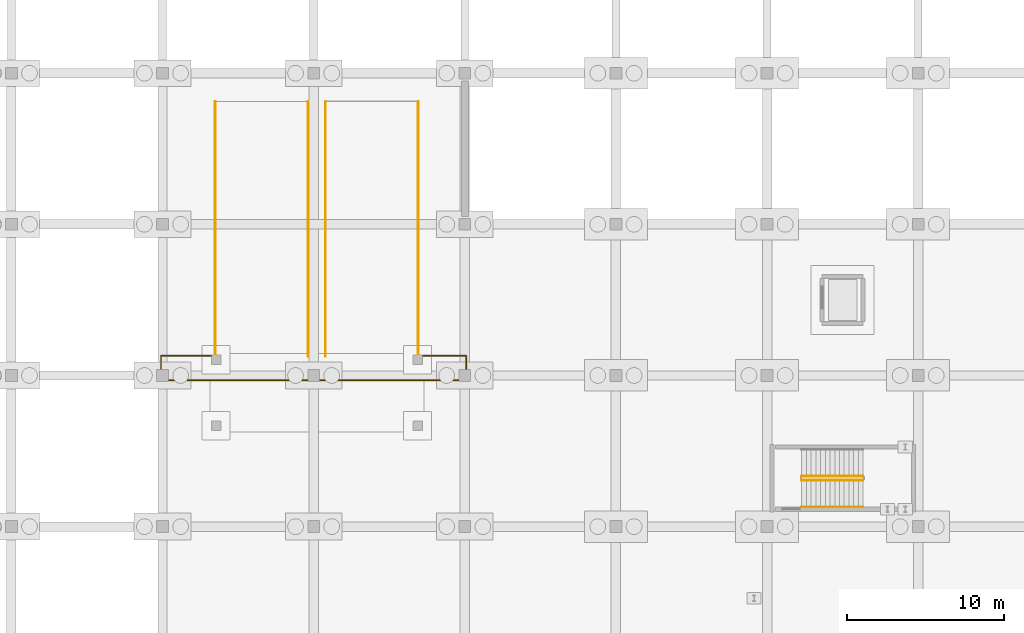
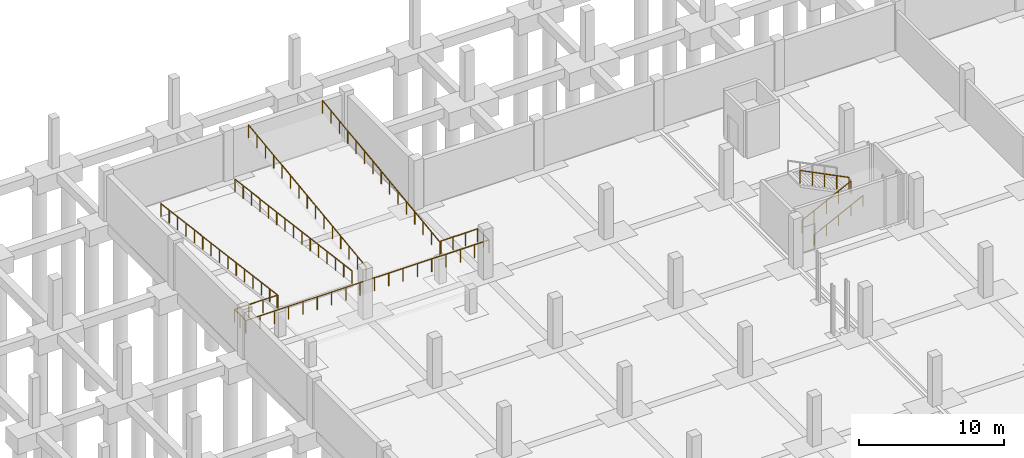
# One storey, part 50 of 54: 8 railings.
"""IFC4 building model written with IfcOpenShell, lengths in metres."""

from ifc_helpers import new_model, si_unit, direction, frame, origin, origin_2d, place, context, subcontext, project, spatial, circle, extrude, material, type_object, element, save


model = new_model("IFC4")

# Units and contexts
model_context = context("Model", 3, precision=1e-05, world=origin(), true_north=direction((0.0, 1.0)))
body_context = subcontext(model_context, "Body", "Model", "MODEL_VIEW")
ifc_project = project(units=[si_unit("LENGTHUNIT", "METRE"), si_unit("AREAUNIT", "SQUARE_METRE"), si_unit("VOLUMEUNIT", "CUBIC_METRE"), si_unit("PLANEANGLEUNIT", "RADIAN"), si_unit("MASSUNIT", "GRAM", prefix="KILO")], contexts=[model_context])

# Site, building, storey
site_placement = place(None, origin())
site = spatial("IfcSite", under=ifc_project, at=site_placement, CompositionType="ELEMENT")
building_placement = place(site_placement, origin())
building = spatial("IfcBuilding", under=site, at=building_placement, Name="Zevrakil Square Congress Hotel", CompositionType="ELEMENT")
storey_placement = place(building_placement, frame((0.0, 0.0, -8.39990234375)))
storey = spatial("IfcBuildingStorey", under=building, at=storey_placement, Name="B2", CompositionType="ELEMENT", Elevation=-8.39990234375)

# Railings
ifc_material_1 = material(Name="Steel S355", Category="steel")
railing_type_1 = type_object("IfcRailingType", Name="RLG-STAIR-GUARD-1100", PredefinedType="BALUSTRADE", material=ifc_material_1)
railing_1_placement = place(storey_placement, frame((57.39990234375, 86.949951171875, 0.14990234375)))
element("IfcRailing", 1, at=railing_1_placement, inside=storey, type_object=railing_type_1, Name="B2 ST05 stair guard 1", PredefinedType="BALUSTRADE", context=body_context, shape_type="SweptSolid", body=[
    extrude(circle(Radius=0.02392578125, at=origin_2d()), frame((0.0, 0.0, 1.076171875), z_axis=(0.894438388696, 0.0, 0.447191199406), x_axis=(0.0, 1.0, 0.0)), (0.0, 0.0, 1.0), 4.3603515625),
    extrude(circle(Radius=0.02099609375, at=origin_2d()), origin(), (0.0, 0.0, 1.0), 1.052001953125),
    extrude(circle(Radius=0.02099609375, at=origin_2d()), frame((0.97509765625, 0.0, 0.487548828125)), (0.0, 0.0, 1.0), 1.052001953125),
    extrude(circle(Radius=0.02099609375, at=origin_2d()), frame((1.9501953125, 0.0, 0.97509765625)), (0.0, 0.0, 1.0), 1.052001953125),
    extrude(circle(Radius=0.02099609375, at=origin_2d()), frame((2.925048828125, 0.0, 1.46240234375)), (0.0, 0.0, 1.0), 1.052001953125),
    extrude(circle(Radius=0.02099609375, at=origin_2d()), frame((3.900146484375, 0.0, 1.949951171875)), (0.0, 0.0, 1.0), 1.052001953125),
])
railing_2_placement = place(storey_placement, frame((61.300048828125, 87.199951171875, 2.25)))
element("IfcRailing", 2, at=railing_2_placement, inside=storey, type_object=railing_type_1, Name="B2 ST05 stair guard 3", PredefinedType="BALUSTRADE", context=body_context, shape_type="SweptSolid", body=[
    extrude(circle(Radius=0.02392578125, at=origin_2d()), frame((0.0, 0.0, 1.076171875), z_axis=(-0.894438388696, 0.0, 0.447191199406), x_axis=(0.0, -1.0, 0.0)), (0.0, 0.0, 1.0), 4.3603515625),
    extrude(circle(Radius=0.02099609375, at=origin_2d()), origin(), (0.0, 0.0, 1.0), 1.052001953125),
    extrude(circle(Radius=0.02099609375, at=origin_2d()), frame((-0.97509765625, 0.0, 0.487548828125)), (0.0, 0.0, 1.0), 1.052001953125),
    extrude(circle(Radius=0.02099609375, at=origin_2d()), frame((-1.9501953125, 0.0, 0.97509765625)), (0.0, 0.0, 1.0), 1.052001953125),
    extrude(circle(Radius=0.02099609375, at=origin_2d()), frame((-2.925048828125, 0.0, 1.46240234375)), (0.0, 0.0, 1.0), 1.052001953125),
    extrude(circle(Radius=0.02099609375, at=origin_2d()), frame((-3.900146484375, 0.0, 1.949951171875)), (0.0, 0.0, 1.0), 1.052001953125),
])
ifc_material_2 = material(Name="Steel S355", Category="steel")
railing_type_2 = type_object("IfcRailingType", Name="RLG-STAIR-HAND-900", PredefinedType="HANDRAIL", material=ifc_material_2)
railing_3_placement = place(storey_placement, frame((57.39990234375, 85.25, 0.14990234375)))
element("IfcRailing", 3, at=railing_3_placement, inside=storey, type_object=railing_type_2, Name="B2 ST05 stair handrail 1", PredefinedType="HANDRAIL", context=body_context, shape_type="SweptSolid", body=[
    extrude(circle(Radius=0.02392578125, at=origin_2d()), frame((0.0, 0.0, 0.8759765625), z_axis=(0.894438388696, 0.0, 0.447191199406), x_axis=(0.0, 1.0, 0.0)), (0.0, 0.0, 1.0), 4.3603515625),
    extrude(circle(Radius=0.02099609375, at=origin_2d()), origin(), (0.0, 0.0, 1.0), 0.851806640625),
    extrude(circle(Radius=0.02099609375, at=origin_2d()), frame((0.97509765625, 0.0, 0.487548828125)), (0.0, 0.0, 1.0), 0.851806640625),
    extrude(circle(Radius=0.02099609375, at=origin_2d()), frame((1.9501953125, 0.0, 0.97509765625)), (0.0, 0.0, 1.0), 0.851806640625),
    extrude(circle(Radius=0.02099609375, at=origin_2d()), frame((2.925048828125, 0.0, 1.46240234375)), (0.0, 0.0, 1.0), 0.851806640625),
    extrude(circle(Radius=0.02099609375, at=origin_2d()), frame((3.900146484375, 0.0, 1.949951171875)), (0.0, 0.0, 1.0), 0.851806640625),
])
ifc_material_3 = material(Name="Steel S355", Category="steel")
railing_type_3 = type_object("IfcRailingType", Name="RLG-TERR-1100", PredefinedType="BALUSTRADE", material=ifc_material_3)
railing_4_placement = place(storey_placement, frame((20.14990234375, 111.0, 0.0)))
element("IfcRailing", 4, at=railing_4_placement, inside=storey, type_object=railing_type_3, Name="B2 terrace and void safety balustrade guard 27", PredefinedType="BALUSTRADE", context=body_context, shape_type="SweptSolid", body=[
    extrude(circle(Radius=0.02392578125, at=origin_2d()), frame((0.0, 0.0, 1.076171875), z_axis=(0.0, -0.99170360044, 0.128545590647), x_axis=(1.0, 0.0, 0.0)), (0.0, 0.0, 1.0), 16.33544921875),
    extrude(circle(Radius=0.02099609375, at=origin_2d()), origin(), (0.0, 0.0, 1.0), 1.052001953125),
    extrude(circle(Radius=0.02099609375, at=origin_2d()), frame((0.0, -1.1572265625, 0.14990234375)), (0.0, 0.0, 1.0), 1.052001953125),
    extrude(circle(Radius=0.02099609375, at=origin_2d()), frame((0.0, -2.314208984375, 0.300048828125)), (0.0, 0.0, 1.0), 1.052001953125),
    extrude(circle(Radius=0.02099609375, at=origin_2d()), frame((0.0, -3.471435546875, 0.449951171875)), (0.0, 0.0, 1.0), 1.052001953125),
    extrude(circle(Radius=0.02099609375, at=origin_2d()), frame((0.0, -4.628662109375, 0.599853515625)), (0.0, 0.0, 1.0), 1.052001953125),
    extrude(circle(Radius=0.02099609375, at=origin_2d()), frame((0.0, -5.78564453125, 0.75)), (0.0, 0.0, 1.0), 1.052001953125),
    extrude(circle(Radius=0.02099609375, at=origin_2d()), frame((0.0, -6.94287109375, 0.89990234375)), (0.0, 0.0, 1.0), 1.052001953125),
    extrude(circle(Radius=0.02099609375, at=origin_2d()), frame((0.0, -8.10009765625, 1.0498046875)), (0.0, 0.0, 1.0), 1.052001953125),
    extrude(circle(Radius=0.02099609375, at=origin_2d()), frame((0.0, -9.257080078125, 1.199951171875)), (0.0, 0.0, 1.0), 1.052001953125),
    extrude(circle(Radius=0.02099609375, at=origin_2d()), frame((0.0, -10.414306640625, 1.349853515625)), (0.0, 0.0, 1.0), 1.052001953125),
    extrude(circle(Radius=0.02099609375, at=origin_2d()), frame((0.0, -11.5712890625, 1.5)), (0.0, 0.0, 1.0), 1.052001953125),
    extrude(circle(Radius=0.02099609375, at=origin_2d()), frame((0.0, -12.728515625, 1.64990234375)), (0.0, 0.0, 1.0), 1.052001953125),
    extrude(circle(Radius=0.02099609375, at=origin_2d()), frame((0.0, -13.8857421875, 1.7998046875)), (0.0, 0.0, 1.0), 1.052001953125),
    extrude(circle(Radius=0.02099609375, at=origin_2d()), frame((0.0, -15.042724609375, 1.949951171875)), (0.0, 0.0, 1.0), 1.052001953125),
    extrude(circle(Radius=0.02099609375, at=origin_2d()), frame((0.0, -16.199951171875, 2.099853515625)), (0.0, 0.0, 1.0), 1.052001953125),
])
railing_5_placement = place(storey_placement, frame((26.050048828125, 111.0, 0.0)))
element("IfcRailing", 5, at=railing_5_placement, inside=storey, type_object=railing_type_3, Name="B2 terrace and void safety balustrade guard 28", PredefinedType="BALUSTRADE", context=body_context, shape_type="SweptSolid", body=[
    extrude(circle(Radius=0.02392578125, at=origin_2d()), frame((0.0, 0.0, 1.076171875), z_axis=(0.0, -0.99170360044, 0.128545590647), x_axis=(1.0, 0.0, 0.0)), (0.0, 0.0, 1.0), 16.33544921875),
    extrude(circle(Radius=0.02099609375, at=origin_2d()), origin(), (0.0, 0.0, 1.0), 1.052001953125),
    extrude(circle(Radius=0.02099609375, at=origin_2d()), frame((0.0, -1.1572265625, 0.14990234375)), (0.0, 0.0, 1.0), 1.052001953125),
    extrude(circle(Radius=0.02099609375, at=origin_2d()), frame((0.0, -2.314208984375, 0.300048828125)), (0.0, 0.0, 1.0), 1.052001953125),
    extrude(circle(Radius=0.02099609375, at=origin_2d()), frame((0.0, -3.471435546875, 0.449951171875)), (0.0, 0.0, 1.0), 1.052001953125),
    extrude(circle(Radius=0.02099609375, at=origin_2d()), frame((0.0, -4.628662109375, 0.599853515625)), (0.0, 0.0, 1.0), 1.052001953125),
    extrude(circle(Radius=0.02099609375, at=origin_2d()), frame((0.0, -5.78564453125, 0.75)), (0.0, 0.0, 1.0), 1.052001953125),
    extrude(circle(Radius=0.02099609375, at=origin_2d()), frame((0.0, -6.94287109375, 0.89990234375)), (0.0, 0.0, 1.0), 1.052001953125),
    extrude(circle(Radius=0.02099609375, at=origin_2d()), frame((0.0, -8.10009765625, 1.0498046875)), (0.0, 0.0, 1.0), 1.052001953125),
    extrude(circle(Radius=0.02099609375, at=origin_2d()), frame((0.0, -9.257080078125, 1.199951171875)), (0.0, 0.0, 1.0), 1.052001953125),
    extrude(circle(Radius=0.02099609375, at=origin_2d()), frame((0.0, -10.414306640625, 1.349853515625)), (0.0, 0.0, 1.0), 1.052001953125),
    extrude(circle(Radius=0.02099609375, at=origin_2d()), frame((0.0, -11.5712890625, 1.5)), (0.0, 0.0, 1.0), 1.052001953125),
    extrude(circle(Radius=0.02099609375, at=origin_2d()), frame((0.0, -12.728515625, 1.64990234375)), (0.0, 0.0, 1.0), 1.052001953125),
    extrude(circle(Radius=0.02099609375, at=origin_2d()), frame((0.0, -13.8857421875, 1.7998046875)), (0.0, 0.0, 1.0), 1.052001953125),
    extrude(circle(Radius=0.02099609375, at=origin_2d()), frame((0.0, -15.042724609375, 1.949951171875)), (0.0, 0.0, 1.0), 1.052001953125),
    extrude(circle(Radius=0.02099609375, at=origin_2d()), frame((0.0, -16.199951171875, 2.099853515625)), (0.0, 0.0, 1.0), 1.052001953125),
])
railing_6_placement = place(storey_placement, frame((27.14990234375, 94.800048828125, 2.099853515625)))
element("IfcRailing", 6, at=railing_6_placement, inside=storey, type_object=railing_type_3, Name="B2 terrace and void safety balustrade guard 29", PredefinedType="BALUSTRADE", context=body_context, shape_type="SweptSolid", body=[
    extrude(circle(Radius=0.02392578125, at=origin_2d()), frame((0.0, 0.0, 1.076171875), z_axis=(0.0, 0.991701695105, 0.128560289071), x_axis=(-1.0, 0.0, 0.0)), (0.0, 0.0, 1.0), 16.33544921875),
    extrude(circle(Radius=0.02099609375, at=origin_2d()), origin(), (0.0, 0.0, 1.0), 1.052001953125),
    extrude(circle(Radius=0.02099609375, at=origin_2d()), frame((0.0, 1.1572265625, 0.14990234375)), (0.0, 0.0, 1.0), 1.052001953125),
    extrude(circle(Radius=0.02099609375, at=origin_2d()), frame((0.0, 2.314208984375, 0.300048828125)), (0.0, 0.0, 1.0), 1.052001953125),
    extrude(circle(Radius=0.02099609375, at=origin_2d()), frame((0.0, 3.471435546875, 0.449951171875)), (0.0, 0.0, 1.0), 1.052001953125),
    extrude(circle(Radius=0.02099609375, at=origin_2d()), frame((0.0, 4.628662109375, 0.60009765625)), (0.0, 0.0, 1.0), 1.052001953125),
    extrude(circle(Radius=0.02099609375, at=origin_2d()), frame((0.0, 5.78564453125, 0.75)), (0.0, 0.0, 1.0), 1.052001953125),
    extrude(circle(Radius=0.02099609375, at=origin_2d()), frame((0.0, 6.94287109375, 0.900146484375)), (0.0, 0.0, 1.0), 1.052001953125),
    extrude(circle(Radius=0.02099609375, at=origin_2d()), frame((0.0, 8.10009765625, 1.050048828125)), (0.0, 0.0, 1.0), 1.052001953125),
    extrude(circle(Radius=0.02099609375, at=origin_2d()), frame((0.0, 9.257080078125, 1.199951171875)), (0.0, 0.0, 1.0), 1.052001953125),
    extrude(circle(Radius=0.02099609375, at=origin_2d()), frame((0.0, 10.414306640625, 1.35009765625)), (0.0, 0.0, 1.0), 1.052001953125),
    extrude(circle(Radius=0.02099609375, at=origin_2d()), frame((0.0, 11.5712890625, 1.5)), (0.0, 0.0, 1.0), 1.052001953125),
    extrude(circle(Radius=0.02099609375, at=origin_2d()), frame((0.0, 12.728515625, 1.650146484375)), (0.0, 0.0, 1.0), 1.052001953125),
    extrude(circle(Radius=0.02099609375, at=origin_2d()), frame((0.0, 13.8857421875, 1.800048828125)), (0.0, 0.0, 1.0), 1.052001953125),
    extrude(circle(Radius=0.02099609375, at=origin_2d()), frame((0.0, 15.042724609375, 1.9501953125)), (0.0, 0.0, 1.0), 1.052001953125),
    extrude(circle(Radius=0.02099609375, at=origin_2d()), frame((0.0, 16.199951171875, 2.10009765625)), (0.0, 0.0, 1.0), 1.052001953125),
])
railing_7_placement = place(storey_placement, frame((33.050048828125, 94.800048828125, 2.099853515625)))
element("IfcRailing", 7, at=railing_7_placement, inside=storey, type_object=railing_type_3, Name="B2 terrace and void safety balustrade guard 30", PredefinedType="BALUSTRADE", context=body_context, shape_type="SweptSolid", body=[
    extrude(circle(Radius=0.02392578125, at=origin_2d()), frame((0.0, 0.0, 1.076171875), z_axis=(0.0, 0.991701695105, 0.128560289071), x_axis=(-1.0, 0.0, 0.0)), (0.0, 0.0, 1.0), 16.33544921875),
    extrude(circle(Radius=0.02099609375, at=origin_2d()), origin(), (0.0, 0.0, 1.0), 1.052001953125),
    extrude(circle(Radius=0.02099609375, at=origin_2d()), frame((0.0, 1.1572265625, 0.14990234375)), (0.0, 0.0, 1.0), 1.052001953125),
    extrude(circle(Radius=0.02099609375, at=origin_2d()), frame((0.0, 2.314208984375, 0.300048828125)), (0.0, 0.0, 1.0), 1.052001953125),
    extrude(circle(Radius=0.02099609375, at=origin_2d()), frame((0.0, 3.471435546875, 0.449951171875)), (0.0, 0.0, 1.0), 1.052001953125),
    extrude(circle(Radius=0.02099609375, at=origin_2d()), frame((0.0, 4.628662109375, 0.60009765625)), (0.0, 0.0, 1.0), 1.052001953125),
    extrude(circle(Radius=0.02099609375, at=origin_2d()), frame((0.0, 5.78564453125, 0.75)), (0.0, 0.0, 1.0), 1.052001953125),
    extrude(circle(Radius=0.02099609375, at=origin_2d()), frame((0.0, 6.94287109375, 0.900146484375)), (0.0, 0.0, 1.0), 1.052001953125),
    extrude(circle(Radius=0.02099609375, at=origin_2d()), frame((0.0, 8.10009765625, 1.050048828125)), (0.0, 0.0, 1.0), 1.052001953125),
    extrude(circle(Radius=0.02099609375, at=origin_2d()), frame((0.0, 9.257080078125, 1.199951171875)), (0.0, 0.0, 1.0), 1.052001953125),
    extrude(circle(Radius=0.02099609375, at=origin_2d()), frame((0.0, 10.414306640625, 1.35009765625)), (0.0, 0.0, 1.0), 1.052001953125),
    extrude(circle(Radius=0.02099609375, at=origin_2d()), frame((0.0, 11.5712890625, 1.5)), (0.0, 0.0, 1.0), 1.052001953125),
    extrude(circle(Radius=0.02099609375, at=origin_2d()), frame((0.0, 12.728515625, 1.650146484375)), (0.0, 0.0, 1.0), 1.052001953125),
    extrude(circle(Radius=0.02099609375, at=origin_2d()), frame((0.0, 13.8857421875, 1.800048828125)), (0.0, 0.0, 1.0), 1.052001953125),
    extrude(circle(Radius=0.02099609375, at=origin_2d()), frame((0.0, 15.042724609375, 1.9501953125)), (0.0, 0.0, 1.0), 1.052001953125),
    extrude(circle(Radius=0.02099609375, at=origin_2d()), frame((0.0, 16.199951171875, 2.10009765625)), (0.0, 0.0, 1.0), 1.052001953125),
])
railing_8_placement = place(storey_placement, frame((20.10009765625, 94.85009765625, 2.099853515625)))
element("IfcRailing", 8, at=railing_8_placement, inside=storey, type_object=railing_type_3, Name="B2 terrace and void safety balustrade guard 31", PredefinedType="BALUSTRADE", context=body_context, shape_type="SweptSolid", body=[
    extrude(circle(Radius=0.02392578125, at=origin_2d()), frame((0.0, 0.0, 1.076171875), z_axis=(-1.0, 0.0, 0.0), x_axis=(0.0, -1.0, 0.0)), (0.0, 0.0, 1.0), 3.400146484375),
    extrude(circle(Radius=0.02392578125, at=origin_2d()), frame((-3.400146484375, 0.0, 1.076171875), z_axis=(0.0, -1.0, 0.0), x_axis=(1.0, 0.0, 0.0)), (0.0, 0.0, 1.0), 1.550048828125),
    extrude(circle(Radius=0.02392578125, at=origin_2d()), frame((-3.400146484375, -1.550048828125, 1.076171875), z_axis=(1.0, 0.0, 0.0), x_axis=(0.0, 1.0, 0.0)), (0.0, 0.0, 1.0), 19.400146484375),
    extrude(circle(Radius=0.02392578125, at=origin_2d()), frame((16.0, -1.550048828125, 1.076171875), z_axis=(0.0, 1.0, 0.0), x_axis=(-1.0, 0.0, 0.0)), (0.0, 0.0, 1.0), 1.550048828125),
    extrude(circle(Radius=0.02392578125, at=origin_2d()), frame((16.0, 0.0, 1.076171875), z_axis=(-1.0, 0.0, 0.0), x_axis=(0.0, -1.0, 0.0)), (0.0, 0.0, 1.0), 2.9501953125),
    extrude(circle(Radius=0.02099609375, at=origin_2d()), origin(), (0.0, 0.0, 1.0), 1.052001953125),
    extrude(circle(Radius=0.02099609375, at=origin_2d()), frame((-1.13330078125, 0.0, 0.0)), (0.0, 0.0, 1.0), 1.052001953125),
    extrude(circle(Radius=0.02099609375, at=origin_2d()), frame((-2.266845703125, 0.0, 0.0)), (0.0, 0.0, 1.0), 1.052001953125),
    extrude(circle(Radius=0.02099609375, at=origin_2d()), frame((-3.400146484375, 0.0, 0.0)), (0.0, 0.0, 1.0), 1.052001953125),
    extrude(circle(Radius=0.02099609375, at=origin_2d()), frame((-3.400146484375, -0.77490234375, 0.0)), (0.0, 0.0, 1.0), 1.052001953125),
    extrude(circle(Radius=0.02099609375, at=origin_2d()), frame((-3.400146484375, -1.550048828125, 0.0)), (0.0, 0.0, 1.0), 1.052001953125),
    extrude(circle(Radius=0.02099609375, at=origin_2d()), frame((-2.259033203125, -1.550048828125, 0.0)), (0.0, 0.0, 1.0), 1.052001953125),
    extrude(circle(Radius=0.02099609375, at=origin_2d()), frame((-1.11767578125, -1.550048828125, 0.0)), (0.0, 0.0, 1.0), 1.052001953125),
    extrude(circle(Radius=0.02099609375, at=origin_2d()), frame((0.0234375, -1.550048828125, 0.0)), (0.0, 0.0, 1.0), 1.052001953125),
    extrude(circle(Radius=0.02099609375, at=origin_2d()), frame((1.16455078125, -1.550048828125, 0.0)), (0.0, 0.0, 1.0), 1.052001953125),
    extrude(circle(Radius=0.02099609375, at=origin_2d()), frame((2.3056640625, -1.550048828125, 0.0)), (0.0, 0.0, 1.0), 1.052001953125),
    extrude(circle(Radius=0.02099609375, at=origin_2d()), frame((3.447021484375, -1.550048828125, 0.0)), (0.0, 0.0, 1.0), 1.052001953125),
    extrude(circle(Radius=0.02099609375, at=origin_2d()), frame((4.588134765625, -1.550048828125, 0.0)), (0.0, 0.0, 1.0), 1.052001953125),
    extrude(circle(Radius=0.02099609375, at=origin_2d()), frame((5.729248046875, -1.550048828125, 0.0)), (0.0, 0.0, 1.0), 1.052001953125),
    extrude(circle(Radius=0.02099609375, at=origin_2d()), frame((6.87060546875, -1.550048828125, 0.0)), (0.0, 0.0, 1.0), 1.052001953125),
    extrude(circle(Radius=0.02099609375, at=origin_2d()), frame((8.01171875, -1.550048828125, 0.0)), (0.0, 0.0, 1.0), 1.052001953125),
    extrude(circle(Radius=0.02099609375, at=origin_2d()), frame((9.15283203125, -1.550048828125, 0.0)), (0.0, 0.0, 1.0), 1.052001953125),
    extrude(circle(Radius=0.02099609375, at=origin_2d()), frame((10.294189453125, -1.550048828125, 0.0)), (0.0, 0.0, 1.0), 1.052001953125),
    extrude(circle(Radius=0.02099609375, at=origin_2d()), frame((11.435302734375, -1.550048828125, 0.0)), (0.0, 0.0, 1.0), 1.052001953125),
    extrude(circle(Radius=0.02099609375, at=origin_2d()), frame((12.576416015625, -1.550048828125, 0.0)), (0.0, 0.0, 1.0), 1.052001953125),
    extrude(circle(Radius=0.02099609375, at=origin_2d()), frame((13.717529296875, -1.550048828125, 0.0)), (0.0, 0.0, 1.0), 1.052001953125),
    extrude(circle(Radius=0.02099609375, at=origin_2d()), frame((14.85888671875, -1.550048828125, 0.0)), (0.0, 0.0, 1.0), 1.052001953125),
    extrude(circle(Radius=0.02099609375, at=origin_2d()), frame((16.0, -1.550048828125, 0.0)), (0.0, 0.0, 1.0), 1.052001953125),
    extrude(circle(Radius=0.02099609375, at=origin_2d()), frame((16.0, -0.77490234375, 0.0)), (0.0, 0.0, 1.0), 1.052001953125),
    extrude(circle(Radius=0.02099609375, at=origin_2d()), frame((16.0, 0.0, 0.0)), (0.0, 0.0, 1.0), 1.052001953125),
    extrude(circle(Radius=0.02099609375, at=origin_2d()), frame((15.0166015625, 0.0, 0.0)), (0.0, 0.0, 1.0), 1.052001953125),
    extrude(circle(Radius=0.02099609375, at=origin_2d()), frame((14.033203125, 0.0, 0.0)), (0.0, 0.0, 1.0), 1.052001953125),
    extrude(circle(Radius=0.02099609375, at=origin_2d()), frame((13.0498046875, 0.0, 0.0)), (0.0, 0.0, 1.0), 1.052001953125),
])

save(model, "model.ifc")
